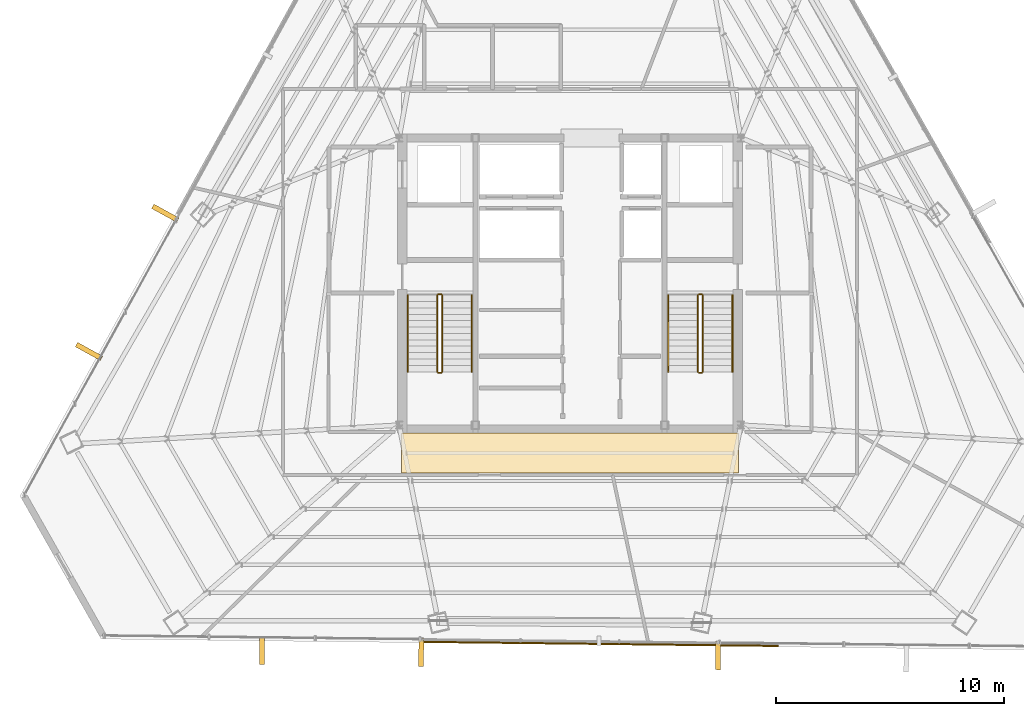
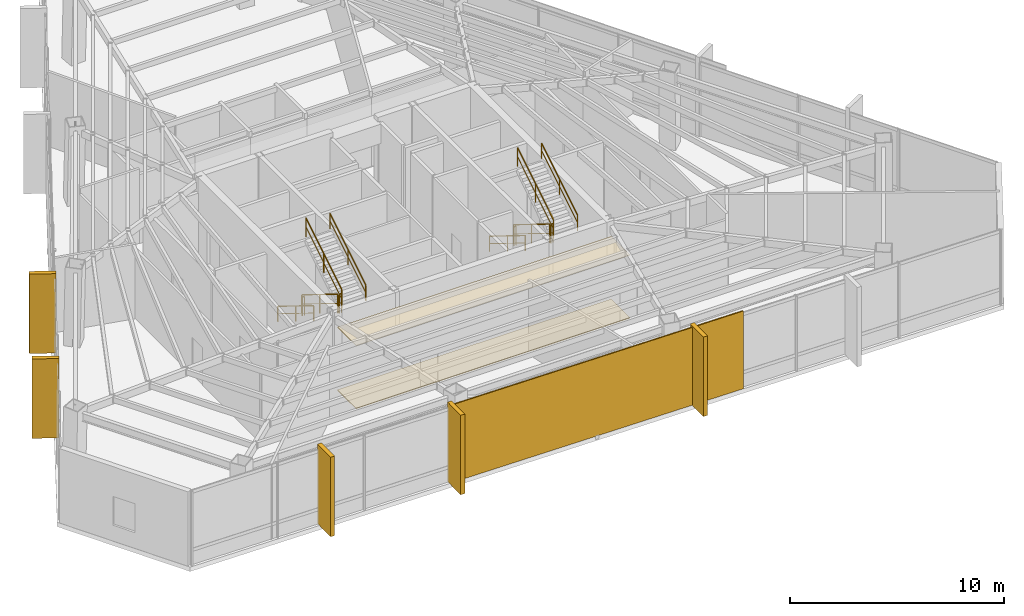
# One storey, part 36 of 37: 12 railings, 7 coverings, 1 shading device.
"""IFC4 building model written with IfcOpenShell, lengths in metres."""

from ifc_helpers import new_model, si_unit, direction, frame, origin, origin_2d, place, context, subcontext, project, spatial, polyline, rectangle, outline, extrude, source, transform, mapped, material, layer, layer_set, type_object, type_shapes, element, save


model = new_model("IFC4")

# Units and contexts
model_context = context("Model", 3, precision=1e-05, world=origin(), true_north=direction((0.0, 1.0)))
body_context = subcontext(model_context, "Body", "Model", "MODEL_VIEW")
ifc_project = project(units=[si_unit("LENGTHUNIT", "METRE"), si_unit("AREAUNIT", "SQUARE_METRE"), si_unit("VOLUMEUNIT", "CUBIC_METRE"), si_unit("PLANEANGLEUNIT", "RADIAN"), si_unit("MASSUNIT", "GRAM", prefix="KILO")], contexts=[model_context])

# Site, building, storey
site_placement = place(None, origin())
site = spatial("IfcSite", under=ifc_project, at=site_placement, CompositionType="ELEMENT")
building_placement = place(site_placement, origin())
building = spatial("IfcBuilding", under=site, at=building_placement, Name="Caelisora Broadcast Tower", CompositionType="ELEMENT")
storey_placement = place(building_placement, frame((0.0, 0.0, 225.35009765625)))
storey = spatial("IfcBuildingStorey", under=building, at=storey_placement, Name="L59", CompositionType="ELEMENT", Elevation=225.35009765625)

# Coverings
ifc_material_1 = material(Name="Perforated Mineral-Fibre Acoustic Ceiling Tile", Category="gypsum")
ifc_layer_1 = layer(ifc_material_1, 0.034912109375, Name="Perforated Mineral-Fibre Acoustic Ceiling Tile")
ifc_layer_set_1 = layer_set([ifc_layer_1], Name="Perforated Mineral-Fibre Acoustic Ceiling Tile")
covering_type_1 = type_object("IfcCoveringType", Name="CE-1", PredefinedType="CEILING", material=ifc_layer_set_1)
covering_1_placement = place(storey_placement, frame((0.0, 0.0, 3.599853515625)))
element("IfcCovering", 1, at=covering_1_placement, inside=storey, type_object=covering_type_1, Name="L59 acoustic corridor ceiling CE-1 (S)", PredefinedType="CEILING", context=body_context, shape_type="SweptSolid", body=[
    extrude(outline(polyline([(30.60009765625, 15.300048828125), (45.39990234375, 15.300048828125), (45.39990234375, 17.050048828125), (30.60009765625, 17.050048828125), (30.60009765625, 15.300048828125)])), origin(), (0.0, 0.0, 1.0), 0.03515625),
])
ifc_material_2 = material(Name="Anti-Static Broadcast Raised Access Floor Panel", Category="steel")
ifc_layer_2 = layer(ifc_material_2, 0.044921875, Name="Anti-Static Broadcast Raised Access Floor Panel")
ifc_layer_set_2 = layer_set([ifc_layer_2], Name="Anti-Static Broadcast Raised Access Floor Panel")
covering_type_2 = type_object("IfcCoveringType", Name="FL-1", PredefinedType="FLOORING", material=ifc_layer_set_2)
covering_2_placement = place(storey_placement, origin())
element("IfcCovering", 2, at=covering_2_placement, inside=storey, type_object=covering_type_2, Name="L59 broadcast raised access floor FL-1 (S)", PredefinedType="FLOORING", context=body_context, shape_type="SweptSolid", body=[
    extrude(outline(polyline([(30.60009765625, 15.300048828125), (45.39990234375, 15.300048828125), (45.39990234375, 17.050048828125), (30.60009765625, 17.050048828125), (30.60009765625, 15.300048828125)])), origin(), (0.0, 0.0, 1.0), 0.044921875),
])

# Railings
ifc_material_3 = material(Name="Galvanised Steel Safety Guardrail", Category="steel")
ifc_layer_3 = layer(ifc_material_3, 0.048095703125, Name="Galvanised Steel Safety Guardrail")
ifc_layer_set_3 = layer_set([ifc_layer_3], Name="Galvanised Steel Safety Guardrail")
railing_type_1 = type_object("IfcRailingType", Name="GR-1", PredefinedType="GUARDRAIL", material=ifc_layer_set_3)
railing_1_placement = place(storey_placement, frame((32.169921875, 23.10009765625, 0.173095703125)))
element("IfcRailing", 3, at=railing_1_placement, inside=storey, type_object=railing_type_1, Name="L59 ST-1 stair guard 1", PredefinedType="GUARDRAIL", context=body_context, shape_type="SweptSolid", body=[
    extrude(rectangle(XDim=0.048095703125, YDim=0.048095703125, at=origin_2d()), frame((0.0, 0.0, 1.076171875), z_axis=(0.0, -0.850623216509, 0.525775754039), x_axis=(1.0, 0.0, 0.0)), (0.0, 0.0, 1.0), 3.9501953125),
    extrude(rectangle(XDim=0.03125, YDim=0.03125, at=origin_2d()), frame((0.0, 0.0, 0.550048828125), z_axis=(0.0, -0.850623216509, 0.525775754039), x_axis=(1.0, 0.0, 0.0)), (0.0, 0.0, 1.0), 3.9501953125),
    extrude(rectangle(XDim=0.0419921875, YDim=0.0419921875, at=origin_2d()), origin(), (0.0, 0.0, 1.0), 1.052001953125),
    extrude(rectangle(XDim=0.0419921875, YDim=0.0419921875, at=origin_2d()), frame((0.0, -1.68017578125, 1.03857421875)), (0.0, 0.0, 1.0), 1.052001953125),
    extrude(rectangle(XDim=0.0419921875, YDim=0.0419921875, at=origin_2d()), frame((0.0, -3.360107421875, 2.076904296875)), (0.0, 0.0, 1.0), 1.052001953125),
])
railing_2_placement = place(storey_placement, frame((32.219970703125, 19.68994140625, 2.25)))
element("IfcRailing", 4, at=railing_2_placement, inside=storey, type_object=railing_type_1, Name="L59 ST-1 stair guard 2", PredefinedType="GUARDRAIL", context=body_context, shape_type="SweptSolid", body=[
    extrude(rectangle(XDim=0.048095703125, YDim=0.048095703125, at=origin_2d()), frame((0.0, 0.0, 1.076171875), z_axis=(1.0, 0.0, 0.0), x_axis=(0.0, 1.0, 0.0)), (0.0, 0.0, 1.0), 0.1201171875),
    extrude(rectangle(XDim=0.03125, YDim=0.03125, at=origin_2d()), frame((0.0, 0.0, 0.550048828125), z_axis=(1.0, 0.0, 0.0), x_axis=(0.0, 1.0, 0.0)), (0.0, 0.0, 1.0), 0.1201171875),
    extrude(rectangle(XDim=0.0419921875, YDim=0.0419921875, at=origin_2d()), origin(), (0.0, 0.0, 1.0), 1.052001953125),
    extrude(rectangle(XDim=0.0419921875, YDim=0.0419921875, at=origin_2d()), frame((0.1201171875, 0.0, 0.0)), (0.0, 0.0, 1.0), 1.052001953125),
])
railing_3_placement = place(storey_placement, frame((32.389892578125, 19.739990234375, 2.423095703125)))
element("IfcRailing", 5, at=railing_3_placement, inside=storey, type_object=railing_type_1, Name="L59 ST-1 stair guard 3", PredefinedType="GUARDRAIL", context=body_context, shape_type="SweptSolid", body=[
    extrude(rectangle(XDim=0.048095703125, YDim=0.048095703125, at=origin_2d()), frame((0.0, 0.0, 1.076171875), z_axis=(0.0, 0.850623216509, 0.525775754039), x_axis=(-1.0, 0.0, 0.0)), (0.0, 0.0, 1.0), 3.9501953125),
    extrude(rectangle(XDim=0.03125, YDim=0.03125, at=origin_2d()), frame((0.0, 0.0, 0.550048828125), z_axis=(0.0, 0.850623216509, 0.525775754039), x_axis=(-1.0, 0.0, 0.0)), (0.0, 0.0, 1.0), 3.9501953125),
    extrude(rectangle(XDim=0.0419921875, YDim=0.0419921875, at=origin_2d()), origin(), (0.0, 0.0, 1.0), 1.052001953125),
    extrude(rectangle(XDim=0.0419921875, YDim=0.0419921875, at=origin_2d()), frame((0.0, 1.68017578125, 1.03857421875)), (0.0, 0.0, 1.0), 1.052001953125),
    extrude(rectangle(XDim=0.0419921875, YDim=0.0419921875, at=origin_2d()), frame((0.0, 3.360107421875, 2.076904296875)), (0.0, 0.0, 1.0), 1.052001953125),
])
railing_4_placement = place(storey_placement, frame((32.219970703125, 23.14990234375, 0.0)))
element("IfcRailing", 6, at=railing_4_placement, inside=storey, type_object=railing_type_1, Name="L59 ST-1 stair guard 4", PredefinedType="GUARDRAIL", context=body_context, shape_type="SweptSolid", body=[
    extrude(rectangle(XDim=0.048095703125, YDim=0.048095703125, at=origin_2d()), frame((0.0, 0.0, 1.076171875), z_axis=(1.0, 0.0, 0.0), x_axis=(0.0, 1.0, 0.0)), (0.0, 0.0, 1.0), 0.1201171875),
    extrude(rectangle(XDim=0.03125, YDim=0.03125, at=origin_2d()), frame((0.0, 0.0, 0.550048828125), z_axis=(1.0, 0.0, 0.0), x_axis=(0.0, 1.0, 0.0)), (0.0, 0.0, 1.0), 0.1201171875),
    extrude(rectangle(XDim=0.0419921875, YDim=0.0419921875, at=origin_2d()), origin(), (0.0, 0.0, 1.0), 1.052001953125),
    extrude(rectangle(XDim=0.0419921875, YDim=0.0419921875, at=origin_2d()), frame((0.1201171875, 0.0, 0.0)), (0.0, 0.0, 1.0), 1.052001953125),
])
railing_5_placement = place(storey_placement, frame((43.610107421875, 23.10009765625, 0.173095703125)))
element("IfcRailing", 7, at=railing_5_placement, inside=storey, type_object=railing_type_1, Name="L59 ST-2 stair guard 1", PredefinedType="GUARDRAIL", context=body_context, shape_type="SweptSolid", body=[
    extrude(rectangle(XDim=0.048095703125, YDim=0.048095703125, at=origin_2d()), frame((0.0, 0.0, 1.076171875), z_axis=(0.0, -0.850623216509, 0.525775754039), x_axis=(1.0, 0.0, 0.0)), (0.0, 0.0, 1.0), 3.9501953125),
    extrude(rectangle(XDim=0.03125, YDim=0.03125, at=origin_2d()), frame((0.0, 0.0, 0.550048828125), z_axis=(0.0, -0.850623216509, 0.525775754039), x_axis=(1.0, 0.0, 0.0)), (0.0, 0.0, 1.0), 3.9501953125),
    extrude(rectangle(XDim=0.0419921875, YDim=0.0419921875, at=origin_2d()), origin(), (0.0, 0.0, 1.0), 1.052001953125),
    extrude(rectangle(XDim=0.0419921875, YDim=0.0419921875, at=origin_2d()), frame((0.0, -1.68017578125, 1.03857421875)), (0.0, 0.0, 1.0), 1.052001953125),
    extrude(rectangle(XDim=0.0419921875, YDim=0.0419921875, at=origin_2d()), frame((0.0, -3.360107421875, 2.076904296875)), (0.0, 0.0, 1.0), 1.052001953125),
])
railing_6_placement = place(storey_placement, frame((43.659912109375, 19.68994140625, 2.25)))
element("IfcRailing", 8, at=railing_6_placement, inside=storey, type_object=railing_type_1, Name="L59 ST-2 stair guard 2", PredefinedType="GUARDRAIL", context=body_context, shape_type="SweptSolid", body=[
    extrude(rectangle(XDim=0.048095703125, YDim=0.048095703125, at=origin_2d()), frame((0.0, 0.0, 1.076171875), z_axis=(1.0, 0.0, 0.0), x_axis=(0.0, 1.0, 0.0)), (0.0, 0.0, 1.0), 0.1201171875),
    extrude(rectangle(XDim=0.03125, YDim=0.03125, at=origin_2d()), frame((0.0, 0.0, 0.550048828125), z_axis=(1.0, 0.0, 0.0), x_axis=(0.0, 1.0, 0.0)), (0.0, 0.0, 1.0), 0.1201171875),
    extrude(rectangle(XDim=0.0419921875, YDim=0.0419921875, at=origin_2d()), origin(), (0.0, 0.0, 1.0), 1.052001953125),
    extrude(rectangle(XDim=0.0419921875, YDim=0.0419921875, at=origin_2d()), frame((0.1201171875, 0.0, 0.0)), (0.0, 0.0, 1.0), 1.052001953125),
])
railing_7_placement = place(storey_placement, frame((43.830078125, 19.739990234375, 2.423095703125)))
element("IfcRailing", 9, at=railing_7_placement, inside=storey, type_object=railing_type_1, Name="L59 ST-2 stair guard 3", PredefinedType="GUARDRAIL", context=body_context, shape_type="SweptSolid", body=[
    extrude(rectangle(XDim=0.048095703125, YDim=0.048095703125, at=origin_2d()), frame((0.0, 0.0, 1.076171875), z_axis=(0.0, 0.850623216509, 0.525775754039), x_axis=(-1.0, 0.0, 0.0)), (0.0, 0.0, 1.0), 3.9501953125),
    extrude(rectangle(XDim=0.03125, YDim=0.03125, at=origin_2d()), frame((0.0, 0.0, 0.550048828125), z_axis=(0.0, 0.850623216509, 0.525775754039), x_axis=(-1.0, 0.0, 0.0)), (0.0, 0.0, 1.0), 3.9501953125),
    extrude(rectangle(XDim=0.0419921875, YDim=0.0419921875, at=origin_2d()), origin(), (0.0, 0.0, 1.0), 1.052001953125),
    extrude(rectangle(XDim=0.0419921875, YDim=0.0419921875, at=origin_2d()), frame((0.0, 1.68017578125, 1.03857421875)), (0.0, 0.0, 1.0), 1.052001953125),
    extrude(rectangle(XDim=0.0419921875, YDim=0.0419921875, at=origin_2d()), frame((0.0, 3.360107421875, 2.076904296875)), (0.0, 0.0, 1.0), 1.052001953125),
])
railing_8_placement = place(storey_placement, frame((43.659912109375, 23.14990234375, 0.0)))
element("IfcRailing", 10, at=railing_8_placement, inside=storey, type_object=railing_type_1, Name="L59 ST-2 stair guard 4", PredefinedType="GUARDRAIL", context=body_context, shape_type="SweptSolid", body=[
    extrude(rectangle(XDim=0.048095703125, YDim=0.048095703125, at=origin_2d()), frame((0.0, 0.0, 1.076171875), z_axis=(1.0, 0.0, 0.0), x_axis=(0.0, 1.0, 0.0)), (0.0, 0.0, 1.0), 0.1201171875),
    extrude(rectangle(XDim=0.03125, YDim=0.03125, at=origin_2d()), frame((0.0, 0.0, 0.550048828125), z_axis=(1.0, 0.0, 0.0), x_axis=(0.0, 1.0, 0.0)), (0.0, 0.0, 1.0), 0.1201171875),
    extrude(rectangle(XDim=0.0419921875, YDim=0.0419921875, at=origin_2d()), origin(), (0.0, 0.0, 1.0), 1.052001953125),
    extrude(rectangle(XDim=0.0419921875, YDim=0.0419921875, at=origin_2d()), frame((0.1201171875, 0.0, 0.0)), (0.0, 0.0, 1.0), 1.052001953125),
])
ifc_material_4 = material(Name="Stainless Steel Grade 316 Tubular Handrail", Category="steel")
ifc_layer_4 = layer(ifc_material_4, 0.048095703125, Name="Stainless Steel Grade 316 Tubular Handrail")
ifc_layer_set_4 = layer_set([ifc_layer_4], Name="Stainless Steel Grade 316 Tubular Handrail")
railing_type_2 = type_object("IfcRailingType", Name="HR-1", PredefinedType="HANDRAIL", material=ifc_layer_set_4)
railing_9_placement = place(storey_placement, frame((30.8701171875, 23.10009765625, 0.173095703125)))
element("IfcRailing", 11, at=railing_9_placement, inside=storey, type_object=railing_type_2, Name="L59 ST-1 stair handrail 1", PredefinedType="HANDRAIL", context=body_context, shape_type="SweptSolid", body=[
    extrude(rectangle(XDim=0.048095703125, YDim=0.048095703125, at=origin_2d()), frame((0.0, 0.0, 0.8759765625), z_axis=(0.0, -0.850623216509, 0.525775754039), x_axis=(1.0, 0.0, 0.0)), (0.0, 0.0, 1.0), 3.9501953125),
    extrude(rectangle(XDim=0.03125, YDim=0.03125, at=origin_2d()), frame((0.0, 0.0, 0.449951171875), z_axis=(0.0, -0.850623216509, 0.525775754039), x_axis=(1.0, 0.0, 0.0)), (0.0, 0.0, 1.0), 3.9501953125),
    extrude(rectangle(XDim=0.0419921875, YDim=0.0419921875, at=origin_2d()), origin(), (0.0, 0.0, 1.0), 0.851806640625),
    extrude(rectangle(XDim=0.0419921875, YDim=0.0419921875, at=origin_2d()), frame((0.0, -1.68017578125, 1.03857421875)), (0.0, 0.0, 1.0), 0.851806640625),
    extrude(rectangle(XDim=0.0419921875, YDim=0.0419921875, at=origin_2d()), frame((0.0, -3.360107421875, 2.076904296875)), (0.0, 0.0, 1.0), 0.851806640625),
])
railing_10_placement = place(storey_placement, frame((33.68994140625, 19.739990234375, 2.423095703125)))
element("IfcRailing", 12, at=railing_10_placement, inside=storey, type_object=railing_type_2, Name="L59 ST-1 stair handrail 2", PredefinedType="HANDRAIL", context=body_context, shape_type="SweptSolid", body=[
    extrude(rectangle(XDim=0.048095703125, YDim=0.048095703125, at=origin_2d()), frame((0.0, 0.0, 0.8759765625), z_axis=(0.0, 0.850623216509, 0.525775754039), x_axis=(-1.0, 0.0, 0.0)), (0.0, 0.0, 1.0), 3.9501953125),
    extrude(rectangle(XDim=0.03125, YDim=0.03125, at=origin_2d()), frame((0.0, 0.0, 0.449951171875), z_axis=(0.0, 0.850623216509, 0.525775754039), x_axis=(-1.0, 0.0, 0.0)), (0.0, 0.0, 1.0), 3.9501953125),
    extrude(rectangle(XDim=0.0419921875, YDim=0.0419921875, at=origin_2d()), origin(), (0.0, 0.0, 1.0), 0.851806640625),
    extrude(rectangle(XDim=0.0419921875, YDim=0.0419921875, at=origin_2d()), frame((0.0, 1.68017578125, 1.03857421875)), (0.0, 0.0, 1.0), 0.851806640625),
    extrude(rectangle(XDim=0.0419921875, YDim=0.0419921875, at=origin_2d()), frame((0.0, 3.360107421875, 2.076904296875)), (0.0, 0.0, 1.0), 0.851806640625),
])
railing_11_placement = place(storey_placement, frame((42.31005859375, 23.10009765625, 0.173095703125)))
element("IfcRailing", 13, at=railing_11_placement, inside=storey, type_object=railing_type_2, Name="L59 ST-2 stair handrail 1", PredefinedType="HANDRAIL", context=body_context, shape_type="SweptSolid", body=[
    extrude(rectangle(XDim=0.048095703125, YDim=0.048095703125, at=origin_2d()), frame((0.0, 0.0, 0.8759765625), z_axis=(0.0, -0.850623216509, 0.525775754039), x_axis=(1.0, 0.0, 0.0)), (0.0, 0.0, 1.0), 3.9501953125),
    extrude(rectangle(XDim=0.03125, YDim=0.03125, at=origin_2d()), frame((0.0, 0.0, 0.449951171875), z_axis=(0.0, -0.850623216509, 0.525775754039), x_axis=(1.0, 0.0, 0.0)), (0.0, 0.0, 1.0), 3.9501953125),
    extrude(rectangle(XDim=0.0419921875, YDim=0.0419921875, at=origin_2d()), origin(), (0.0, 0.0, 1.0), 0.851806640625),
    extrude(rectangle(XDim=0.0419921875, YDim=0.0419921875, at=origin_2d()), frame((0.0, -1.68017578125, 1.03857421875)), (0.0, 0.0, 1.0), 0.851806640625),
    extrude(rectangle(XDim=0.0419921875, YDim=0.0419921875, at=origin_2d()), frame((0.0, -3.360107421875, 2.076904296875)), (0.0, 0.0, 1.0), 0.851806640625),
])
railing_12_placement = place(storey_placement, frame((45.1298828125, 19.739990234375, 2.423095703125)))
element("IfcRailing", 14, at=railing_12_placement, inside=storey, type_object=railing_type_2, Name="L59 ST-2 stair handrail 2", PredefinedType="HANDRAIL", context=body_context, shape_type="SweptSolid", body=[
    extrude(rectangle(XDim=0.048095703125, YDim=0.048095703125, at=origin_2d()), frame((0.0, 0.0, 0.8759765625), z_axis=(0.0, 0.850623216509, 0.525775754039), x_axis=(-1.0, 0.0, 0.0)), (0.0, 0.0, 1.0), 3.9501953125),
    extrude(rectangle(XDim=0.03125, YDim=0.03125, at=origin_2d()), frame((0.0, 0.0, 0.449951171875), z_axis=(0.0, 0.850623216509, 0.525775754039), x_axis=(-1.0, 0.0, 0.0)), (0.0, 0.0, 1.0), 3.9501953125),
    extrude(rectangle(XDim=0.0419921875, YDim=0.0419921875, at=origin_2d()), origin(), (0.0, 0.0, 1.0), 0.851806640625),
    extrude(rectangle(XDim=0.0419921875, YDim=0.0419921875, at=origin_2d()), frame((0.0, 1.68017578125, 1.03857421875)), (0.0, 0.0, 1.0), 0.851806640625),
    extrude(rectangle(XDim=0.0419921875, YDim=0.0419921875, at=origin_2d()), frame((0.0, 3.360107421875, 2.076904296875)), (0.0, 0.0, 1.0), 0.851806640625),
])

# Coverings
ifc_material_5 = material(Name="Kiln-Fired Terracotta Spandrel Rainscreen Cladding", Category="ceramic")
ifc_layer_5 = layer(ifc_material_5, 0.044921875, Name="Kiln-Fired Terracotta Spandrel Rainscreen Cladding")
ifc_layer_set_5 = layer_set([ifc_layer_5], Name="Kiln-Fired Terracotta Spandrel Rainscreen Cladding")
covering_type_3 = type_object("IfcCoveringType", Name="CL-1", PredefinedType="CLADDING", material=ifc_layer_set_5)
shared_shape_1 = source(origin(), body_context, "Body", "SweptSolid", [
    extrude(rectangle(XDim=0.219970703125, YDim=1.25, at=origin_2d()), origin(), (0.0, 0.0, 1.0), 4.5400390625),
])
type_shapes(covering_type_3, [shared_shape_1])
for number, where, z_axis, x_axis, name in (
    (15, (44.498779296875, 7.286865234375, -0.02001953125), (0.0, 0.0, 1.0), (-0.99993365506, 0.011518918316, 0.0), "L59 vertical solar fin cladding #2-2"),
    (16, (31.469970703125, 7.43798828125, -0.02001953125), (0.0, 0.0, 1.0), (-0.99993365506, 0.011518918316, 0.0), "L59 vertical solar fin cladding #2-3"),
    (17, (24.485107421875, 7.51904296875, -0.02001953125), (0.0, 0.0, 1.0), (-0.99993365506, 0.011518918316, 0.0), "L59 vertical solar fin cladding #2-4"),
    (18, (16.88916015625, 20.630615234375, -0.02001953125), (0.0, 0.0, 1.0), (0.482671075992, 0.875801708379, 0.0), "L59 vertical solar fin cladding #3-1"),
    (19, (20.23486328125, 26.7001953125, -0.02001953125), (0.0, 0.0, 1.0), (0.482671075992, 0.875801708379, 0.0), "L59 vertical solar fin cladding #3-2"),
):
    element("IfcCovering", number, at=place(storey_placement, frame(where, z_axis=z_axis, x_axis=x_axis)), inside=storey, type_object=covering_type_3, Name=name, PredefinedType="CLADDING", context=body_context, shape_type="MappedRepresentation", body=[
        mapped(shared_shape_1, transform((0.0, 0.0, 0.0), scale=1.0)),
    ])

# Shading device
ifc_material_6 = material(Name="Perforated Glazed Terracotta Baguette Solar Screen", Category="ceramic")
ifc_layer_6 = layer(ifc_material_6, 0.06494140625, Name="Perforated Glazed Terracotta Baguette Solar Screen")
ifc_layer_set_6 = layer_set([ifc_layer_6], Name="Perforated Glazed Terracotta Baguette Solar Screen")
shading_device_type = type_object("IfcShadingDeviceType", Name="SS-1", PredefinedType="USERDEFINED", material=ifc_layer_set_6)
shared_shape_2 = source(origin(), body_context, "Body", "SweptSolid", [
    extrude(rectangle(XDim=15.73193359375, YDim=0.06494140625, at=origin_2d()), origin(), (0.0, 0.0, 1.0), 4.43994140625),
])
type_shapes(shading_device_type, [shared_shape_2])
shading_device_placement = place(storey_placement, frame((39.2685546875, 7.797607421875, 0.0), z_axis=(0.0, 0.0, 1.0), x_axis=(0.99993365506, -0.011518918316, 0.0)))
element("IfcShadingDevice", 20, at=shading_device_placement, inside=storey, type_object=shading_device_type, Name="L59 perforated terracotta solar screen #2", ObjectType="SOLAR SCREEN", PredefinedType="USERDEFINED", context=body_context, shape_type="MappedRepresentation", body=[
    mapped(shared_shape_2, transform((0.0, 0.0, 0.0), scale=1.0)),
])

save(model, "model.ifc")
